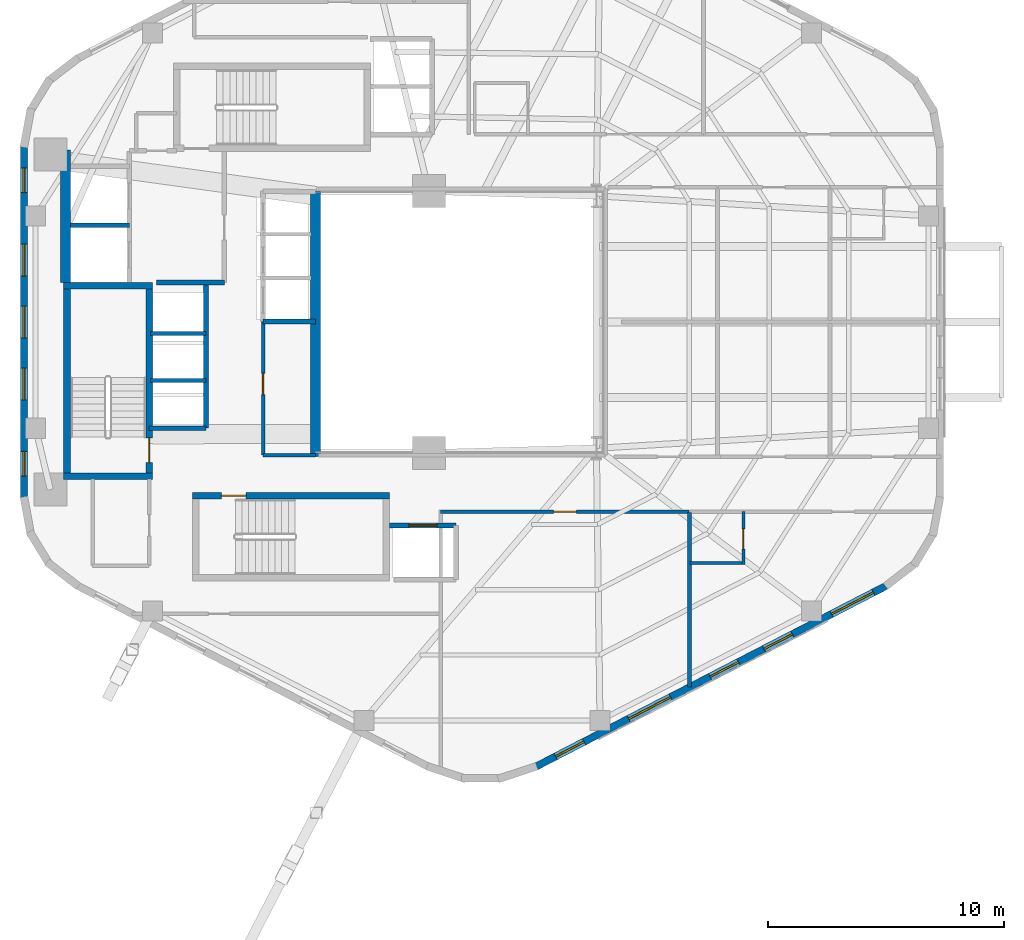
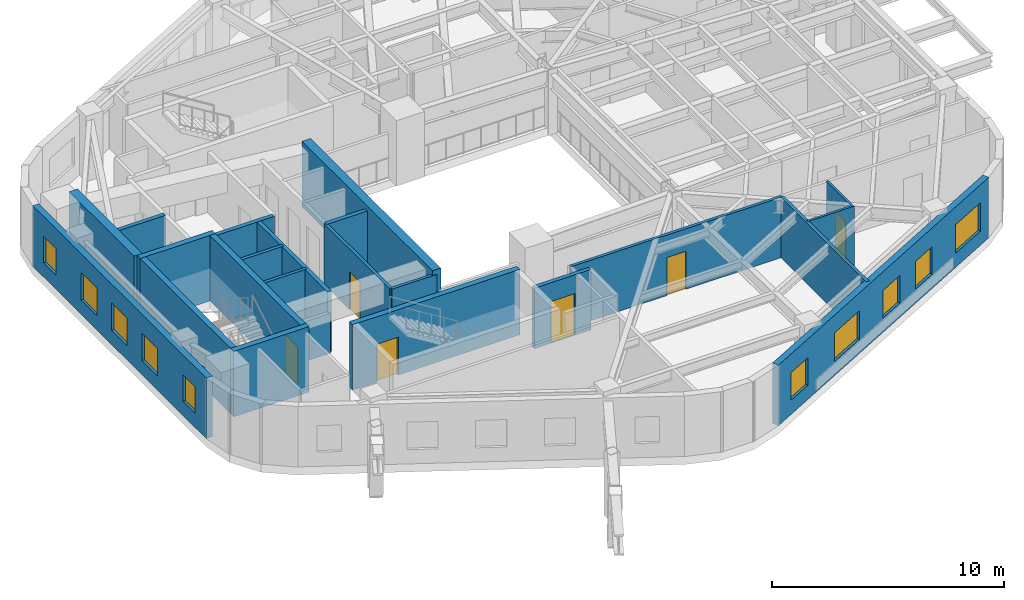
# One storey, part 7 of 12: 23 walls, 10 windows, 6 doors, 16 openings.
"""IFC4 building model written with IfcOpenShell, lengths in metres."""

from ifc_helpers import new_model, si_unit, direction, frame, frame_2d, origin, place, context, subcontext, project, spatial, rectangle, extrude, material, layer, layer_set, type_object, element, fill, save


model = new_model("IFC4")

# Units and contexts
model_context = context("Model", 3, precision=1e-05, world=origin(), true_north=direction((0.0, 1.0)))
body_context = subcontext(model_context, "Body", "Model", "MODEL_VIEW")
ifc_project = project(units=[si_unit("LENGTHUNIT", "METRE"), si_unit("AREAUNIT", "SQUARE_METRE"), si_unit("VOLUMEUNIT", "CUBIC_METRE"), si_unit("PLANEANGLEUNIT", "RADIAN"), si_unit("MASSUNIT", "GRAM", prefix="KILO"), si_unit("THERMODYNAMICTEMPERATUREUNIT", "KELVIN"), si_unit("POWERUNIT", "WATT")], contexts=[model_context])

# Site, building, storey
site_placement = place(None, origin())
site = spatial("IfcSite", under=ifc_project, at=site_placement, CompositionType="ELEMENT")
building_placement = place(site_placement, origin())
building = spatial("IfcBuilding", under=site, at=building_placement, Name="Skarre Station Tower", CompositionType="ELEMENT")
storey_placement = place(building_placement, frame((0.0, 0.0, 163.64990234375)))
storey = spatial("IfcBuildingStorey", under=building, at=storey_placement, Name="L44", CompositionType="ELEMENT", Elevation=163.64990234375)

# Wall, opening, door
ifc_material_1 = material(Name="Acoustic Steel-Stud Gypsum Partition", Category="steel")
ifc_layer_1 = layer(ifc_material_1, 0.14990234375, Name="Acoustic Steel-Stud Gypsum Partition")
ifc_layer_set_1 = layer_set([ifc_layer_1], Name="Acoustic Steel-Stud Gypsum Partition")
wall_type_1 = type_object("IfcWallType", Name="Fire-Rated Corridor Acoustic Partition 150", PredefinedType="PARTITIONING", material=ifc_layer_set_1)
wall_1_placement = place(storey_placement, frame((25.320068359375, 24.02001953125, 0.0), z_axis=(0.0, 0.0, 1.0), x_axis=(0.0, -1.0, 0.0)))
wall_1 = element("IfcWall", 1, at=wall_1_placement, inside=storey, type_object=wall_type_1, Name="L44 Interior Partition WL-PT-L44-RC1-W", PredefinedType="PARTITIONING", context=body_context, shape_type="SweptSolid", body=[
    extrude(rectangle(XDim=5.659912109375, YDim=0.14990234375, at=frame_2d((2.830078125, 0.0))), origin(), (0.0, 0.0, 1.0), 3.190185546875),
])
opening_1_placement = place(wall_1_placement, frame((2.199951171875, 0.0, 0.0)))
opening_1 = element("IfcOpeningElement", 2, at=opening_1_placement, cuts=wall_1, Name="Opening DR-SVC90", PredefinedType="OPENING", context=body_context, shape_type="SweptSolid", body=[
    extrude(rectangle(XDim=0.89990234375, YDim=2.0, at=frame_2d((0.449951171875, 1.0))), frame((0.0, 0.0849609375, 0.0), z_axis=(0.0, -1.0, 0.0), x_axis=(1.0, 0.0, 0.0)), (0.0, 0.0, 1.0), 0.169921875),
])
ifc_material_2 = material(Name="Powder-Coated Hollow-Metal Acoustic Fire Leaf", Category="steel")
door_type_1 = type_object("IfcDoorType", Name="Service & Riser Fire Door FD60 900x2100", OperationType="SINGLE_SWING_LEFT", PredefinedType="DOOR", material=ifc_material_2)
door_1_placement = place(opening_1_placement, origin())
door_1 = element("IfcDoor", 3, at=door_1_placement, inside=storey, type_object=door_type_1, Name="L44 Guest Pantry Door", OperationType="SINGLE_SWING_LEFT", OverallHeight=2.0, OverallWidth=0.89990234375, PredefinedType="DOOR", context=body_context, shape_type="SweptSolid", body=[
    extrude(rectangle(XDim=0.89990234375, YDim=2.0, at=frame_2d((0.449951171875, 1.0))), frame((0.0, 0.02490234375, 0.0), z_axis=(0.0, -1.0, 0.0), x_axis=(1.0, 0.0, 0.0)), (0.0, 0.0, 1.0), 0.050048828125),
])
fill(opening_1, door_1)

# Wall
wall_2_placement = place(storey_placement, frame((25.320068359375, 18.360107421875, 0.0), z_axis=(0.0, 0.0, 1.0), x_axis=(1.0, 0.0, 0.0)))
element("IfcWall", 4, at=wall_2_placement, inside=storey, type_object=wall_type_1, Name="L44 Interior Partition WL-PT-L44-RC1-S", PredefinedType="PARTITIONING", context=body_context, shape_type="SweptSolid", body=[
    extrude(rectangle(XDim=2.22998046875, YDim=0.14990234375, at=frame_2d((1.114990234375, 0.0))), origin(), (0.0, 0.0, 1.0), 3.190185546875),
])

# Wall, opening, door
wall_3_placement = place(storey_placement, frame((32.85009765625, 15.9599609375, 0.0), z_axis=(0.0, 0.0, 1.0), x_axis=(1.0, 0.0, 0.0)))
wall_3 = element("IfcWall", 5, at=wall_3_placement, inside=storey, type_object=wall_type_1, Name="L44 Interior Partition WL-PT-L44-SW1-CW", PredefinedType="PARTITIONING", context=body_context, shape_type="SweptSolid", body=[
    extrude(rectangle(XDim=10.532958984375, YDim=0.14990234375, at=frame_2d((5.2666015625, 0.0))), origin(), (0.0, 0.0, 1.0), 3.190185546875),
])
opening_2_placement = place(wall_3_placement, frame((4.787109375, 0.0, 0.0)))
opening_2 = element("IfcOpeningElement", 6, at=opening_2_placement, cuts=wall_3, Name="Opening DR-FD60", PredefinedType="OPENING", context=body_context, shape_type="SweptSolid", body=[
    extrude(rectangle(XDim=0.9599609375, YDim=2.0, at=frame_2d((0.47998046875, 1.0))), frame((0.0, 0.0849609375, 0.0), z_axis=(0.0, -1.0, 0.0), x_axis=(1.0, 0.0, 0.0)), (0.0, 0.0, 1.0), 0.169921875),
])
ifc_material_3 = material(Name="Nordic White-Oak Veneer Solid-Core Fire Leaf", Category="wood")
door_type_2 = type_object("IfcDoorType", Name="Corridor Suite Entry Fire Door FD60 960x2150", OperationType="SINGLE_SWING_LEFT", PredefinedType="DOOR", material=ifc_material_3)
door_2_placement = place(opening_2_placement, origin())
door_2 = element("IfcDoor", 7, at=door_2_placement, inside=storey, type_object=door_type_2, Name="L44 SW1 Entry Door", OperationType="SINGLE_SWING_LEFT", OverallHeight=2.0, OverallWidth=0.9599609375, PredefinedType="DOOR", context=body_context, shape_type="SweptSolid", body=[
    extrude(rectangle(XDim=0.9599609375, YDim=2.0, at=frame_2d((0.47998046875, 1.0))), frame((0.0, 0.02490234375, 0.0), z_axis=(0.0, -1.0, 0.0), x_axis=(1.0, 0.0, 0.0)), (0.0, 0.0, 1.0), 0.050048828125),
])
fill(opening_2, door_2)

ifc_material_4 = material(Name="Insulated Timber-Stud Gypsum Partition", Category="wood")
ifc_layer_2 = layer(ifc_material_4, 0.1201171875, Name="Insulated Timber-Stud Gypsum Partition")
ifc_layer_set_2 = layer_set([ifc_layer_2], Name="Insulated Timber-Stud Gypsum Partition")
wall_type_2 = type_object("IfcWallType", Name="Internal Suite Acoustic Partition 120", PredefinedType="PARTITIONING", material=ifc_layer_set_2)
wall_4_placement = place(storey_placement, frame((45.678955078125, 13.719970703125, 0.0), z_axis=(0.0, 0.0, 1.0), x_axis=(0.0, 1.0, 0.0)))
wall_4 = element("IfcWall", 8, at=wall_4_placement, inside=storey, type_object=wall_type_2, Name="L44 Interior Partition WL-PT-L44-SW2-EW2", PredefinedType="PARTITIONING", context=body_context, shape_type="SweptSolid", body=[
    extrude(rectangle(XDim=2.239990234375, YDim=0.1201171875, at=frame_2d((1.1201171875, 0.0))), origin(), (0.0, 0.0, 1.0), 3.190185546875),
])
opening_3_placement = place(wall_4_placement, frame((0.64990234375, 0.0, 0.0)))
opening_3 = element("IfcOpeningElement", 9, at=opening_3_placement, cuts=wall_4, Name="Opening DR-INT86", PredefinedType="OPENING", context=body_context, shape_type="SweptSolid", body=[
    extrude(rectangle(XDim=0.860107421875, YDim=2.0, at=frame_2d((0.43017578125, 1.0))), frame((0.0, 0.070068359375, 0.0), z_axis=(0.0, -1.0, 0.0), x_axis=(1.0, 0.0, 0.0)), (0.0, 0.0, 1.0), 0.14013671875),
])
ifc_material_5 = material(Name="Nordic Birch Acoustic Solid-Core Timber Leaf", Category="wood")
door_type_3 = type_object("IfcDoorType", Name="Internal En-Suite & Bedroom Door 860x2100", OperationType="SINGLE_SWING_LEFT", PredefinedType="DOOR", material=ifc_material_5)
door_3_placement = place(opening_3_placement, origin())
door_3 = element("IfcDoor", 10, at=door_3_placement, inside=storey, type_object=door_type_3, Name="L44 SW2 En-suite Door", OperationType="SINGLE_SWING_RIGHT", OverallHeight=2.0, OverallWidth=0.860107421875, PredefinedType="DOOR", context=body_context, shape_type="SweptSolid", body=[
    extrude(rectangle(XDim=0.860107421875, YDim=2.0, at=frame_2d((0.43017578125, 1.0))), frame((0.0, 0.02490234375, 0.0), z_axis=(0.0, -1.0, 0.0), x_axis=(1.0, 0.0, 0.0)), (0.0, 0.0, 1.0), 0.050048828125),
])
fill(opening_3, door_3)

# Wall
wall_5_placement = place(storey_placement, frame((43.4189453125, 13.780029296875, 0.0), z_axis=(0.0, 0.0, 1.0), x_axis=(1.0, 0.0, 0.0)))
element("IfcWall", 11, at=wall_5_placement, inside=storey, type_object=wall_type_2, Name="L44 Interior Partition WL-PT-L44-SW2-EW1", PredefinedType="PARTITIONING", context=body_context, shape_type="SweptSolid", body=[
    extrude(rectangle(XDim=2.320068359375, YDim=0.1201171875, at=frame_2d((1.16015625, 0.0))), origin(), (0.0, 0.0, 1.0), 3.190185546875),
])

# Wall, openings, windows
ifc_material_6 = material(Name="Precast concrete C45/55", Category="concrete")
ifc_layer_3 = layer(ifc_material_6, 0.31005859375, Name="Precast concrete C45/55")
ifc_layer_set_3 = layer_set([ifc_layer_3], Name="Precast concrete C45/55")
wall_type_3 = type_object("IfcWallType", Name="Nordic Upper-Zone Precast Facet Wall 310", PredefinedType="STANDARD", material=ifc_layer_set_3)
wall_6_placement = place(storey_placement, frame((15.18310546875, 16.498046875, 0.0), z_axis=(0.0, 0.0, 1.0), x_axis=(0.0, 1.0, 0.0)))
wall_6 = element("IfcWall", 12, at=wall_6_placement, inside=storey, type_object=wall_type_3, Name="L44 Facet 2 Nordic Precast Masonry Wall", PredefinedType="STANDARD", context=body_context, shape_type="SweptSolid", body=[
    extrude(rectangle(XDim=15.00390625, YDim=0.31005859375, at=frame_2d((7.501953125, 0.0))), origin(), (0.0, 0.0, 1.0), 3.190185546875),
])
opening_4_placement = place(wall_6_placement, frame((0.968017578125, 0.0, 0.75)))
opening_4 = element("IfcOpeningElement", 13, at=opening_4_placement, cuts=wall_6, Name="Opening WN-SLT", PredefinedType="OPENING", context=body_context, shape_type="SweptSolid", body=[
    extrude(rectangle(XDim=1.050048828125, YDim=1.39990234375, at=frame_2d((0.52490234375, 0.699951171875))), frame((0.0, 0.1650390625, 0.0), z_axis=(0.0, -1.0, 0.0), x_axis=(1.0, 0.0, 0.0)), (0.0, 0.0, 1.0), 0.330078125),
])
opening_5_placement = place(wall_6_placement, frame((4.202880859375, 0.0, 0.75)))
opening_5 = element("IfcOpeningElement", 14, at=opening_5_placement, cuts=wall_6, Name="Opening WN-Z3B", PredefinedType="OPENING", context=body_context, shape_type="SweptSolid", body=[
    extrude(rectangle(XDim=1.35009765625, YDim=1.449951171875, at=frame_2d((0.675048828125, 0.72509765625))), frame((0.0, 0.1650390625, 0.0), z_axis=(0.0, -1.0, 0.0), x_axis=(1.0, 0.0, 0.0)), (0.0, 0.0, 1.0), 0.330078125),
])
opening_6_placement = place(wall_6_placement, frame((6.826904296875, 0.0, 0.75)))
opening_6 = element("IfcOpeningElement", 15, at=opening_6_placement, cuts=wall_6, Name="Opening WN-Z3B", PredefinedType="OPENING", context=body_context, shape_type="SweptSolid", body=[
    extrude(rectangle(XDim=1.35009765625, YDim=1.449951171875, at=frame_2d((0.675048828125, 0.72509765625))), frame((0.0, 0.1650390625, 0.0), z_axis=(0.0, -1.0, 0.0), x_axis=(1.0, 0.0, 0.0)), (0.0, 0.0, 1.0), 0.330078125),
])
opening_7_placement = place(wall_6_placement, frame((9.450927734375, 0.0, 0.75)))
opening_7 = element("IfcOpeningElement", 16, at=opening_7_placement, cuts=wall_6, Name="Opening WN-Z3B", PredefinedType="OPENING", context=body_context, shape_type="SweptSolid", body=[
    extrude(rectangle(XDim=1.35009765625, YDim=1.449951171875, at=frame_2d((0.675048828125, 0.72509765625))), frame((0.0, 0.1650390625, 0.0), z_axis=(0.0, -1.0, 0.0), x_axis=(1.0, 0.0, 0.0)), (0.0, 0.0, 1.0), 0.330078125),
])
opening_8_placement = place(wall_6_placement, frame((12.986083984375, 0.0, 0.75)))
opening_8 = element("IfcOpeningElement", 17, at=opening_8_placement, cuts=wall_6, Name="Opening WN-SLT", PredefinedType="OPENING", context=body_context, shape_type="SweptSolid", body=[
    extrude(rectangle(XDim=1.050048828125, YDim=1.39990234375, at=frame_2d((0.52490234375, 0.699951171875))), frame((0.0, 0.1650390625, 0.0), z_axis=(0.0, -1.0, 0.0), x_axis=(1.0, 0.0, 0.0)), (0.0, 0.0, 1.0), 0.330078125),
])
ifc_material_7 = material(Name="Low-Iron Triple Glazing with Bronze Anodized Frame", Category="glass")
window_type_1 = type_object("IfcWindowType", Name="Nordic Corner Slot Window 1050x1400", PartitioningType="SINGLE_PANEL", PredefinedType="WINDOW", material=ifc_material_7)
window_1_placement = place(opening_4_placement, origin())
window_1 = element("IfcWindow", 18, at=window_1_placement, inside=storey, type_object=window_type_1, Name="L44 Facade Window WL-FAC-L44-F2-1", OverallHeight=1.39990234375, OverallWidth=1.050048828125, PartitioningType="SINGLE_PANEL", PredefinedType="WINDOW", context=body_context, shape_type="SweptSolid", body=[
    extrude(rectangle(XDim=1.050048828125, YDim=1.39990234375, at=frame_2d((0.52490234375, 0.699951171875))), frame((0.0, 0.030029296875, 0.0), z_axis=(0.0, -1.0, 0.0), x_axis=(1.0, 0.0, 0.0)), (0.0, 0.0, 1.0), 0.06005859375),
])
fill(opening_4, window_1)
window_2_placement = place(opening_8_placement, origin())
window_2 = element("IfcWindow", 19, at=window_2_placement, inside=storey, type_object=window_type_1, Name="L44 Facade Window WL-FAC-L44-F2-5", OverallHeight=1.39990234375, OverallWidth=1.050048828125, PartitioningType="SINGLE_PANEL", PredefinedType="WINDOW", context=body_context, shape_type="SweptSolid", body=[
    extrude(rectangle(XDim=1.050048828125, YDim=1.39990234375, at=frame_2d((0.52490234375, 0.699951171875))), frame((0.0, 0.030029296875, 0.0), z_axis=(0.0, -1.0, 0.0), x_axis=(1.0, 0.0, 0.0)), (0.0, 0.0, 1.0), 0.06005859375),
])
fill(opening_8, window_2)
window_type_2 = type_object("IfcWindowType", Name="Nordic Hospitality Narrow Window 1350x1450", PartitioningType="SINGLE_PANEL", PredefinedType="WINDOW", material=ifc_material_7)
window_3_placement = place(opening_5_placement, origin())
window_3 = element("IfcWindow", 20, at=window_3_placement, inside=storey, type_object=window_type_2, Name="L44 Facade Window WL-FAC-L44-F2-2", OverallHeight=1.449951171875, OverallWidth=1.35009765625, PartitioningType="SINGLE_PANEL", PredefinedType="WINDOW", context=body_context, shape_type="SweptSolid", body=[
    extrude(rectangle(XDim=1.35009765625, YDim=1.449951171875, at=frame_2d((0.675048828125, 0.72509765625))), frame((0.0, 0.030029296875, 0.0), z_axis=(0.0, -1.0, 0.0), x_axis=(1.0, 0.0, 0.0)), (0.0, 0.0, 1.0), 0.06005859375),
])
fill(opening_5, window_3)
window_4_placement = place(opening_6_placement, origin())
window_4 = element("IfcWindow", 21, at=window_4_placement, inside=storey, type_object=window_type_2, Name="L44 Facade Window WL-FAC-L44-F2-3", OverallHeight=1.449951171875, OverallWidth=1.35009765625, PartitioningType="SINGLE_PANEL", PredefinedType="WINDOW", context=body_context, shape_type="SweptSolid", body=[
    extrude(rectangle(XDim=1.35009765625, YDim=1.449951171875, at=frame_2d((0.675048828125, 0.72509765625))), frame((0.0, 0.030029296875, 0.0), z_axis=(0.0, -1.0, 0.0), x_axis=(1.0, 0.0, 0.0)), (0.0, 0.0, 1.0), 0.06005859375),
])
fill(opening_6, window_4)
window_5_placement = place(opening_7_placement, origin())
window_5 = element("IfcWindow", 22, at=window_5_placement, inside=storey, type_object=window_type_2, Name="L44 Facade Window WL-FAC-L44-F2-4", OverallHeight=1.449951171875, OverallWidth=1.35009765625, PartitioningType="SINGLE_PANEL", PredefinedType="WINDOW", context=body_context, shape_type="SweptSolid", body=[
    extrude(rectangle(XDim=1.35009765625, YDim=1.449951171875, at=frame_2d((0.675048828125, 0.72509765625))), frame((0.0, 0.030029296875, 0.0), z_axis=(0.0, -1.0, 0.0), x_axis=(1.0, 0.0, 0.0)), (0.0, 0.0, 1.0), 0.06005859375),
])
fill(opening_7, window_5)

wall_7_placement = place(storey_placement, frame((51.7919921875, 12.846923828125, 0.0), z_axis=(0.0, 0.0, 1.0), x_axis=(-0.888626188278, -0.458632202867, 0.0)))
wall_7 = element("IfcWall", 23, at=wall_7_placement, inside=storey, type_object=wall_type_3, Name="L44 Facet 4 Nordic Precast Masonry Wall", PredefinedType="STANDARD", context=body_context, shape_type="SweptSolid", body=[
    extrude(rectangle(XDim=16.828369140625, YDim=0.31005859375, at=frame_2d((8.4140625, 0.0))), origin(), (0.0, 0.0, 1.0), 3.190185546875),
])
opening_9_placement = place(wall_7_placement, frame((0.675048828125, 0.0, 0.75)))
opening_9 = element("IfcOpeningElement", 24, at=opening_9_placement, cuts=wall_7, Name="Opening WN-Z3A", PredefinedType="OPENING", context=body_context, shape_type="SweptSolid", body=[
    extrude(rectangle(XDim=2.0, YDim=1.5, at=frame_2d((1.0, 0.75))), frame((0.0, 0.1650390625, 0.0), z_axis=(0.0, -1.0, 0.0), x_axis=(1.0, 0.0, 0.0)), (0.0, 0.0, 1.0), 0.330078125),
])
opening_10_placement = place(wall_7_placement, frame((4.541015625, 0.0, 0.75)))
opening_10 = element("IfcOpeningElement", 25, at=opening_10_placement, cuts=wall_7, Name="Opening WN-Z3B", PredefinedType="OPENING", context=body_context, shape_type="SweptSolid", body=[
    extrude(rectangle(XDim=1.35009765625, YDim=1.449951171875, at=frame_2d((0.675048828125, 0.72509765625))), frame((0.0, 0.1650390625, 0.0), z_axis=(0.0, -1.0, 0.0), x_axis=(1.0, 0.0, 0.0)), (0.0, 0.0, 1.0), 0.330078125),
])
opening_11_placement = place(wall_7_placement, frame((7.112060546875, 0.0, 0.75)))
opening_11 = element("IfcOpeningElement", 26, at=opening_11_placement, cuts=wall_7, Name="Opening WN-Z3B", PredefinedType="OPENING", context=body_context, shape_type="SweptSolid", body=[
    extrude(rectangle(XDim=1.35009765625, YDim=1.449951171875, at=frame_2d((0.675048828125, 0.72509765625))), frame((0.0, 0.1650390625, 0.0), z_axis=(0.0, -1.0, 0.0), x_axis=(1.0, 0.0, 0.0)), (0.0, 0.0, 1.0), 0.330078125),
])
opening_12_placement = place(wall_7_placement, frame((10.347900390625, 0.0, 0.75)))
opening_12 = element("IfcOpeningElement", 27, at=opening_12_placement, cuts=wall_7, Name="Opening WN-Z3A", PredefinedType="OPENING", context=body_context, shape_type="SweptSolid", body=[
    extrude(rectangle(XDim=2.0, YDim=1.5, at=frame_2d((1.0, 0.75))), frame((0.0, 0.1650390625, 0.0), z_axis=(0.0, -1.0, 0.0), x_axis=(1.0, 0.0, 0.0)), (0.0, 0.0, 1.0), 0.330078125),
])
opening_13_placement = place(wall_7_placement, frame((14.47802734375, 0.0, 0.75)))
opening_13 = element("IfcOpeningElement", 28, at=opening_13_placement, cuts=wall_7, Name="Opening WN-Z3B", PredefinedType="OPENING", context=body_context, shape_type="SweptSolid", body=[
    extrude(rectangle(XDim=1.35009765625, YDim=1.449951171875, at=frame_2d((0.675048828125, 0.72509765625))), frame((0.0, 0.1650390625, 0.0), z_axis=(0.0, -1.0, 0.0), x_axis=(1.0, 0.0, 0.0)), (0.0, 0.0, 1.0), 0.330078125),
])
window_6_placement = place(opening_10_placement, origin())
window_6 = element("IfcWindow", 29, at=window_6_placement, inside=storey, type_object=window_type_2, Name="L44 Facade Window WL-FAC-L44-F4-2", OverallHeight=1.449951171875, OverallWidth=1.35009765625, PartitioningType="SINGLE_PANEL", PredefinedType="WINDOW", context=body_context, shape_type="SweptSolid", body=[
    extrude(rectangle(XDim=1.35009765625, YDim=1.449951171875, at=frame_2d((0.675048828125, 0.72509765625))), frame((0.0, 0.030029296875, 0.0), z_axis=(0.0, -1.0, 0.0), x_axis=(1.0, 0.0, 0.0)), (0.0, 0.0, 1.0), 0.06005859375),
])
fill(opening_10, window_6)
window_7_placement = place(opening_11_placement, origin())
window_7 = element("IfcWindow", 30, at=window_7_placement, inside=storey, type_object=window_type_2, Name="L44 Facade Window WL-FAC-L44-F4-3", OverallHeight=1.449951171875, OverallWidth=1.35009765625, PartitioningType="SINGLE_PANEL", PredefinedType="WINDOW", context=body_context, shape_type="SweptSolid", body=[
    extrude(rectangle(XDim=1.35009765625, YDim=1.449951171875, at=frame_2d((0.675048828125, 0.72509765625))), frame((0.0, 0.030029296875, 0.0), z_axis=(0.0, -1.0, 0.0), x_axis=(1.0, 0.0, 0.0)), (0.0, 0.0, 1.0), 0.06005859375),
])
fill(opening_11, window_7)
window_8_placement = place(opening_13_placement, origin())
window_8 = element("IfcWindow", 31, at=window_8_placement, inside=storey, type_object=window_type_2, Name="L44 Facade Window WL-FAC-L44-F4-5", OverallHeight=1.449951171875, OverallWidth=1.35009765625, PartitioningType="SINGLE_PANEL", PredefinedType="WINDOW", context=body_context, shape_type="SweptSolid", body=[
    extrude(rectangle(XDim=1.35009765625, YDim=1.449951171875, at=frame_2d((0.675048828125, 0.72509765625))), frame((0.0, 0.030029296875, 0.0), z_axis=(0.0, -1.0, 0.0), x_axis=(1.0, 0.0, 0.0)), (0.0, 0.0, 1.0), 0.06005859375),
])
fill(opening_13, window_8)
window_type_3 = type_object("IfcWindowType", Name="Nordic Hospitality Window 2000x1500", PartitioningType="SINGLE_PANEL", PredefinedType="WINDOW", material=ifc_material_7)
window_9_placement = place(opening_9_placement, origin())
window_9 = element("IfcWindow", 32, at=window_9_placement, inside=storey, type_object=window_type_3, Name="L44 Facade Window WL-FAC-L44-F4-1", OverallHeight=1.5, OverallWidth=2.0, PartitioningType="SINGLE_PANEL", PredefinedType="WINDOW", context=body_context, shape_type="SweptSolid", body=[
    extrude(rectangle(XDim=2.0, YDim=1.5, at=frame_2d((1.0, 0.75))), frame((0.0, 0.030029296875, 0.0), z_axis=(0.0, -1.0, 0.0), x_axis=(1.0, 0.0, 0.0)), (0.0, 0.0, 1.0), 0.06005859375),
])
fill(opening_9, window_9)
window_10_placement = place(opening_12_placement, origin())
window_10 = element("IfcWindow", 33, at=window_10_placement, inside=storey, type_object=window_type_3, Name="L44 Facade Window WL-FAC-L44-F4-4", OverallHeight=1.5, OverallWidth=2.0, PartitioningType="SINGLE_PANEL", PredefinedType="WINDOW", context=body_context, shape_type="SweptSolid", body=[
    extrude(rectangle(XDim=2.0, YDim=1.5, at=frame_2d((1.0, 0.75))), frame((0.0, 0.030029296875, 0.0), z_axis=(0.0, -1.0, 0.0), x_axis=(1.0, 0.0, 0.0)), (0.0, 0.0, 1.0), 0.06005859375),
])
fill(opening_12, window_10)

# Walls
ifc_material_8 = material(Name="Concrete C50/60", Category="concrete")
ifc_layer_4 = layer(ifc_material_8, 0.280029296875, Name="Concrete C50/60")
ifc_layer_set_4 = layer_set([ifc_layer_4], Name="Concrete C50/60")
wall_type_4 = type_object("IfcWallType", Name="RC Core Shear Wall 280", PredefinedType="SHEAR", material=ifc_layer_set_4)
for number, where, z_axis, x_axis, name in (
    (34, (16.8701171875, 17.4599609375, 0.0), (0.0, 0.0, 1.0), (1.0, 0.0, 0.0), "L44 Stair ST-1 South Shear Wall"),
    (35, (20.6298828125, 25.5400390625, 0.0), (0.0, 0.0, 1.0), (-1.0, 0.0, 0.0), "L44 Stair ST-1 North Shear Wall"),
):
    element("IfcWall", number, at=place(storey_placement, frame(where, z_axis=z_axis, x_axis=x_axis)), inside=storey, type_object=wall_type_4, Name=name, PredefinedType="SHEAR", context=body_context, shape_type="SweptSolid", body=[
        extrude(rectangle(XDim=3.759765625, YDim=0.280029296875, at=frame_2d((1.8798828125, 0.0))), origin(), (0.0, 0.0, 1.0), 3.4501953125),
    ])
wall_8_placement = place(storey_placement, frame((17.010009765625, 25.39990234375, 0.0), z_axis=(0.0, 0.0, 1.0), x_axis=(0.0, -1.0, 0.0)))
element("IfcWall", 36, at=wall_8_placement, inside=storey, type_object=wall_type_4, Name="L44 Stair ST-1 West Shear Wall", PredefinedType="SHEAR", context=body_context, shape_type="SweptSolid", body=[
    extrude(rectangle(XDim=7.7998046875, YDim=0.280029296875, at=frame_2d((3.89990234375, 0.0))), origin(), (0.0, 0.0, 1.0), 3.4501953125),
])

# Wall, opening, door
wall_9_placement = place(storey_placement, frame((20.489990234375, 17.60009765625, 0.0), z_axis=(0.0, 0.0, 1.0), x_axis=(0.0, 1.0, 0.0)))
wall_9 = element("IfcWall", 37, at=wall_9_placement, inside=storey, type_object=wall_type_4, Name="L44 Stair ST-1 East Shear Wall", PredefinedType="SHEAR", context=body_context, shape_type="SweptSolid", body=[
    extrude(rectangle(XDim=7.7998046875, YDim=0.280029296875, at=frame_2d((3.89990234375, 0.0))), origin(), (0.0, 0.0, 1.0), 3.4501953125),
])
opening_14_placement = place(wall_9_placement, frame((0.43994140625, 0.0, 0.0)))
opening_14 = element("IfcOpeningElement", 38, at=opening_14_placement, cuts=wall_9, Name="Opening DR-FD90", PredefinedType="OPENING", context=body_context, shape_type="SweptSolid", body=[
    extrude(rectangle(XDim=1.050048828125, YDim=2.0, at=frame_2d((0.52490234375, 1.0))), frame((0.0, 0.14990234375, 0.0), z_axis=(0.0, -1.0, 0.0), x_axis=(1.0, 0.0, 0.0)), (0.0, 0.0, 1.0), 0.300048828125),
])
ifc_material_9 = material(Name="Fire-Rated Insulated Steel Frame & Timber Core Leaf", Category="steel")
door_type_4 = type_object("IfcDoorType", Name="Stair & FSAE Lobby Fire Door FD90 1050x2150", OperationType="SINGLE_SWING_RIGHT", PredefinedType="DOOR", material=ifc_material_9)
door_4_placement = place(opening_14_placement, origin())
door_4 = element("IfcDoor", 39, at=door_4_placement, inside=storey, type_object=door_type_4, Name="L44 Stair ST-1 Exit Door", OperationType="SINGLE_SWING_RIGHT", OverallHeight=2.0, OverallWidth=1.050048828125, PredefinedType="DOOR", context=body_context, shape_type="SweptSolid", body=[
    extrude(rectangle(XDim=1.050048828125, YDim=2.0, at=frame_2d((0.52490234375, 1.0))), frame((0.0, 0.02490234375, 0.0), z_axis=(0.0, -1.0, 0.0), x_axis=(1.0, 0.0, 0.0)), (0.0, 0.0, 1.0), 0.050048828125),
])
fill(opening_14, door_4)

wall_10_placement = place(storey_placement, frame((30.679931640625, 16.639892578125, 0.0), z_axis=(0.0, 0.0, 1.0), x_axis=(-1.0, 0.0, 0.0)))
wall_10 = element("IfcWall", 40, at=wall_10_placement, inside=storey, type_object=wall_type_4, Name="L44 Stair ST-2 North Shear Wall", PredefinedType="SHEAR", context=body_context, shape_type="SweptSolid", body=[
    extrude(rectangle(XDim=8.35986328125, YDim=0.280029296875, at=frame_2d((4.179931640625, 0.0))), origin(), (0.0, 0.0, 1.0), 3.4501953125),
])
opening_15_placement = place(wall_10_placement, frame((6.080078125, 0.0, 0.0)))
opening_15 = element("IfcOpeningElement", 41, at=opening_15_placement, cuts=wall_10, Name="Opening DR-FD90", PredefinedType="OPENING", context=body_context, shape_type="SweptSolid", body=[
    extrude(rectangle(XDim=1.050048828125, YDim=2.0, at=frame_2d((0.52490234375, 1.0))), frame((0.0, 0.14990234375, 0.0), z_axis=(0.0, -1.0, 0.0), x_axis=(1.0, 0.0, 0.0)), (0.0, 0.0, 1.0), 0.300048828125),
])
door_5_placement = place(opening_15_placement, origin())
door_5 = element("IfcDoor", 42, at=door_5_placement, inside=storey, type_object=door_type_4, Name="L44 Stair ST-2 Exit Door", OperationType="SINGLE_SWING_RIGHT", OverallHeight=2.0, OverallWidth=1.050048828125, PredefinedType="DOOR", context=body_context, shape_type="SweptSolid", body=[
    extrude(rectangle(XDim=1.050048828125, YDim=2.0, at=frame_2d((0.52490234375, 1.0))), frame((0.0, 0.02490234375, 0.0), z_axis=(0.0, -1.0, 0.0), x_axis=(1.0, 0.0, 0.0)), (0.0, 0.0, 1.0), 0.050048828125),
])
fill(opening_15, door_5)

# Walls
ifc_material_10 = material(Name="Concrete C60/75", Category="concrete")
ifc_layer_5 = layer(ifc_material_10, 0.419921875, Name="Concrete C60/75")
ifc_layer_set_5 = layer_set([ifc_layer_5], Name="Concrete C60/75")
wall_type_5 = type_object("IfcWallType", Name="RC Core Shear Wall 420", PredefinedType="SHEAR", material=ifc_layer_set_5)
wall_11_placement = place(storey_placement, frame((16.93994140625, 25.679931640625, 0.0), z_axis=(0.0, 0.0, 1.0), x_axis=(0.0, 1.0, 0.0)))
element("IfcWall", 43, at=wall_11_placement, inside=storey, type_object=wall_type_5, Name="L44 Core West-North Shear Wall", PredefinedType="SHEAR", context=body_context, shape_type="SweptSolid", body=[
    extrude(rectangle(XDim=5.6201171875, YDim=0.419921875, at=frame_2d((2.81005859375, 0.0))), origin(), (0.0, 0.0, 1.0), 3.4501953125),
])
wall_12_placement = place(storey_placement, frame((27.550048828125, 29.550048828125, 0.0), z_axis=(0.0, 0.0, 1.0), x_axis=(0.0, -1.0, 0.0)))
element("IfcWall", 44, at=wall_12_placement, inside=storey, type_object=wall_type_5, Name="L44 Core East Atrium Shear Wall", PredefinedType="SHEAR", context=body_context, shape_type="SweptSolid", body=[
    extrude(rectangle(XDim=11.25, YDim=0.419921875, at=frame_2d((5.625, 0.0))), origin(), (0.0, 0.0, 1.0), 3.4501953125),
])
ifc_material_11 = material(Name="Gypsum Concrete Shaft Assembly C30/37", Category="concrete")
ifc_layer_6 = layer(ifc_material_11, 0.199951171875, Name="Gypsum Concrete Shaft Assembly C30/37")
ifc_layer_set_6 = layer_set([ifc_layer_6], Name="Gypsum Concrete Shaft Assembly C30/37")
wall_type_6 = type_object("IfcWallType", Name="Shaft & Core Fire Partition 200", PredefinedType="PARTITIONING", material=ifc_layer_set_6)
wall_13_placement = place(storey_placement, frame((20.79296875, 25.679931640625, 0.0), z_axis=(0.0, 0.0, 1.0), x_axis=(1.0, 0.0, 0.0)))
element("IfcWall", 45, at=wall_13_placement, inside=storey, type_object=wall_type_6, Name="L44 Interior Partition WL-PT-L44-FSAE-S", PredefinedType="PARTITIONING", context=body_context, shape_type="SweptSolid", body=[
    extrude(rectangle(XDim=2.886962890625, YDim=0.199951171875, at=frame_2d((1.443359375, 0.0))), origin(), (0.0, 0.0, 1.0), 3.190185546875),
])
wall_14_placement = place(storey_placement, frame((17.14990234375, 28.10009765625, 0.0), z_axis=(0.0, 0.0, 1.0), x_axis=(1.0, 0.0, 0.0)))
element("IfcWall", 46, at=wall_14_placement, inside=storey, type_object=wall_type_6, Name="L44 Interior Partition WL-PT-L44-FF-DIV", PredefinedType="PARTITIONING", context=body_context, shape_type="SweptSolid", body=[
    extrude(rectangle(XDim=2.5, YDim=0.199951171875, at=frame_2d((1.25, 0.0))), origin(), (0.0, 0.0, 1.0), 3.190185546875),
])

# Wall, opening, door
wall_15_placement = place(storey_placement, frame((33.5, 15.3798828125, 0.0), z_axis=(0.0, 0.0, 1.0), x_axis=(-1.0, 0.0, 0.0)))
wall_15 = element("IfcWall", 47, at=wall_15_placement, inside=storey, type_object=wall_type_6, Name="L44 Interior Partition WL-PT-L44-SV1-N", PredefinedType="PARTITIONING", context=body_context, shape_type="SweptSolid", body=[
    extrude(rectangle(XDim=2.820068359375, YDim=0.199951171875, at=frame_2d((1.41015625, 0.0))), origin(), (0.0, 0.0, 1.0), 3.190185546875),
])
opening_16_placement = place(wall_15_placement, frame((0.800048828125, 0.0, 0.0)))
opening_16 = element("IfcOpeningElement", 48, at=opening_16_placement, cuts=wall_15, Name="Opening LD-SV1", PredefinedType="OPENING", context=body_context, shape_type="SweptSolid", body=[
    extrude(rectangle(XDim=1.199951171875, YDim=2.199951171875, at=frame_2d((0.60009765625, 1.10009765625))), frame((0.0, 0.10986328125, 0.0), z_axis=(0.0, -1.0, 0.0), x_axis=(1.0, 0.0, 0.0)), (0.0, 0.0, 1.0), 0.219970703125),
])
ifc_material_12 = material(Name="Heavy-Gauge Brushed Stainless Steel Sliding Leaves", Category="steel")
door_type_5 = type_object("IfcDoorType", Name="Service Elevator Wide Sliding Landing Door 1200x2200", OperationType="SLIDING_TO_RIGHT", PredefinedType="DOOR", material=ifc_material_12)
door_6_placement = place(opening_16_placement, origin())
door_6 = element("IfcDoor", 49, at=door_6_placement, inside=storey, type_object=door_type_5, Name="L44 Service Lift LF-SV1 Landing Door", OperationType="SLIDING_TO_RIGHT", OverallHeight=2.199951171875, OverallWidth=1.199951171875, PredefinedType="DOOR", context=body_context, shape_type="SweptSolid", body=[
    extrude(rectangle(XDim=1.199951171875, YDim=2.199951171875, at=frame_2d((0.60009765625, 1.10009765625))), frame((0.0, 0.02490234375, 0.0), z_axis=(0.0, -1.0, 0.0), x_axis=(1.0, 0.0, 0.0)), (0.0, 0.0, 1.0), 0.050048828125),
])
fill(opening_16, door_6)

# Walls
wall_16_placement = place(storey_placement, frame((22.89990234375, 19.5, 0.0), z_axis=(0.0, 0.0, 1.0), x_axis=(0.0, 1.0, 0.0)))
element("IfcWall", 50, at=wall_16_placement, inside=storey, type_object=wall_type_6, Name="L44 Interior Partition WL-PT-L44-B3-E", PredefinedType="PARTITIONING", context=body_context, shape_type="SweptSolid", body=[
    extrude(rectangle(XDim=6.0849609375, YDim=0.199951171875, at=frame_2d((3.04248046875, 0.0))), origin(), (0.0, 0.0, 1.0), 3.190185546875),
])
wall_17_placement = place(storey_placement, frame((20.489990234375, 19.5, 0.0), z_axis=(0.0, 0.0, 1.0), x_axis=(1.0, 0.0, 0.0)))
element("IfcWall", 51, at=wall_17_placement, inside=storey, type_object=wall_type_6, Name="L44 Interior Partition WL-PT-L44-B3-S", PredefinedType="PARTITIONING", context=body_context, shape_type="SweptSolid", body=[
    extrude(rectangle(XDim=2.409912109375, YDim=0.199951171875, at=frame_2d((1.205078125, 0.0))), origin(), (0.0, 0.0, 1.0), 2.090087890625),
])
for number, where, z_axis, x_axis, name in (
    (52, (20.550048828125, 21.52001953125, 0.0), (0.0, 0.0, 1.0), (1.0, 0.0, 0.0), "L44 Interior Partition WL-PT-L44-B3-D1"),
    (53, (20.550048828125, 23.52001953125, 0.0), (0.0, 0.0, 1.0), (1.0, 0.0, 0.0), "L44 Interior Partition WL-PT-L44-B3-D2"),
):
    element("IfcWall", number, at=place(storey_placement, frame(where, z_axis=z_axis, x_axis=x_axis)), inside=storey, type_object=wall_type_6, Name=name, PredefinedType="PARTITIONING", context=body_context, shape_type="SweptSolid", body=[
        extrude(rectangle(XDim=2.349853515625, YDim=0.159912109375, at=frame_2d((1.1748046875, 0.0))), origin(), (0.0, 0.0, 1.0), 3.190185546875),
    ])
wall_18_placement = place(storey_placement, frame((25.320068359375, 24.02001953125, 0.0), z_axis=(0.0, 0.0, 1.0), x_axis=(1.0, 0.0, 0.0)))
element("IfcWall", 54, at=wall_18_placement, inside=storey, type_object=wall_type_6, Name="L44 Interior Partition WL-PT-L44-B2-S", PredefinedType="PARTITIONING", context=body_context, shape_type="SweptSolid", body=[
    extrude(rectangle(XDim=2.22998046875, YDim=0.199951171875, at=frame_2d((1.114990234375, 0.0))), origin(), (0.0, 0.0, 1.0), 3.190185546875),
])
ifc_layer_7 = layer(ifc_material_1, 0.1650390625, Name="Acoustic Steel-Stud Gypsum Partition")
ifc_layer_set_7 = layer_set([ifc_layer_7], Name="Acoustic Steel-Stud Gypsum Partition")
wall_type_7 = type_object("IfcWallType", Name="Suite Demising Acoustic Partition 165", PredefinedType="PARTITIONING", material=ifc_layer_set_7)
wall_19_placement = place(storey_placement, frame((43.40087890625, 8.532958984375, 0.0), z_axis=(0.0, 0.0, 1.0), x_axis=(0.0, 1.0, 0.0)))
element("IfcWall", 55, at=wall_19_placement, inside=storey, type_object=wall_type_7, Name="L44 Interior Partition WL-PT-L44-SW-P1", PredefinedType="PARTITIONING", context=body_context, shape_type="SweptSolid", body=[
    extrude(rectangle(XDim=7.39697265625, YDim=0.1650390625, at=frame_2d((3.698486328125, 0.0))), origin(), (0.0, 0.0, 1.0), 3.190185546875),
])

save(model, "model.ifc")
